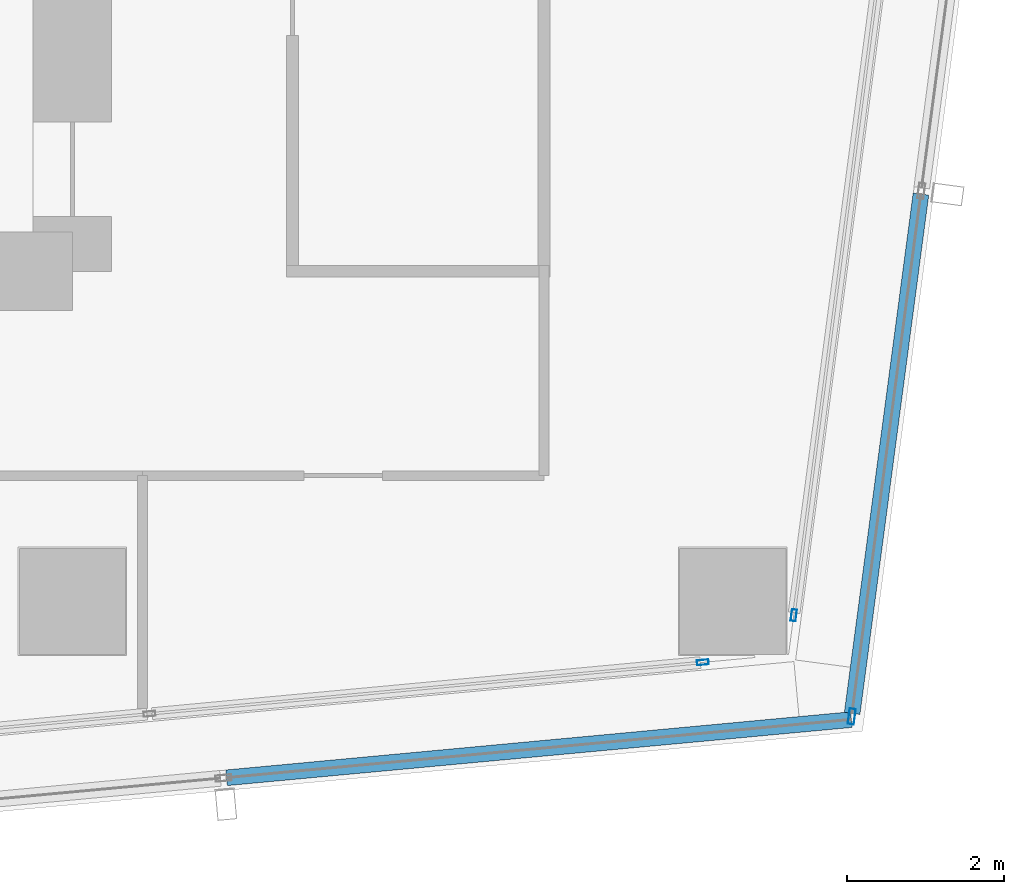
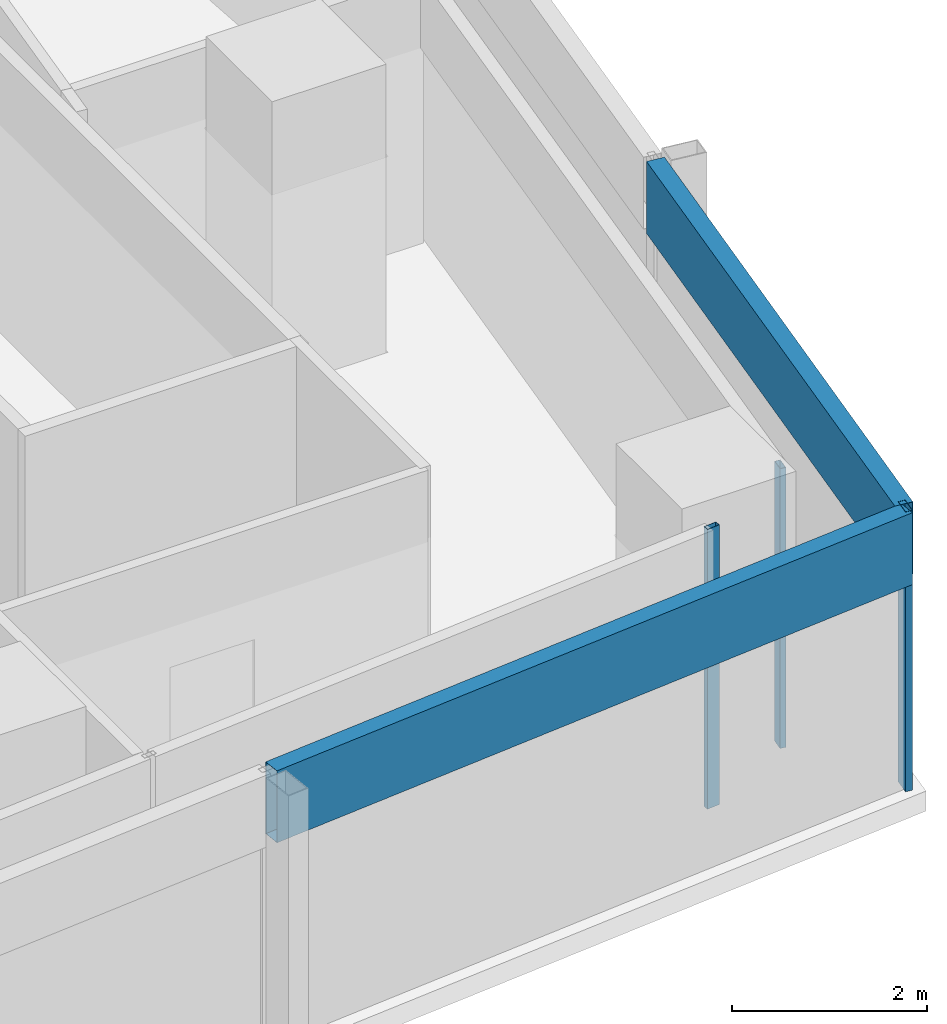
# One storey, part 12 of 38: 5 members, 4 elements without a shape of their own.
"""IFC4 building model written with IfcOpenShell, lengths in metres."""

from ifc_helpers import new_model, si_unit, direction, frame, origin, origin_2d, place, context, subcontext, project, spatial, hollow_rectangle, extrude, material, material_profile, profile_set, type_object, element, aggregate, save


model = new_model("IFC4")

# Units and contexts
model_context = context("Model", 3, precision=1e-05, world=origin(), true_north=direction((0.0, 1.0)))
body_context = subcontext(model_context, "Body", "Model", "MODEL_VIEW")
ifc_project = project(units=[si_unit("LENGTHUNIT", "METRE"), si_unit("AREAUNIT", "SQUARE_METRE"), si_unit("VOLUMEUNIT", "CUBIC_METRE"), si_unit("PLANEANGLEUNIT", "RADIAN"), si_unit("MASSUNIT", "GRAM", prefix="KILO")], contexts=[model_context])

# Site, building, storey
site_placement = place(None, origin())
site = spatial("IfcSite", under=ifc_project, at=site_placement, CompositionType="ELEMENT")
building_placement = place(site_placement, origin())
building = spatial("IfcBuilding", under=site, at=building_placement, Name="Rekha Terrace Tower", CompositionType="ELEMENT")
storey_placement = place(building_placement, frame((0.0, 0.0, 202.699951171875)))
storey = spatial("IfcBuildingStorey", under=building, at=storey_placement, Name="L51", CompositionType="ELEMENT", Elevation=202.699951171875)

# Curtain wall, member
ifc_material_1 = material(Name="Aluminium framing", Category="aluminium")
curtain_wall_type_1 = type_object("IfcCurtainWallType", Name="CW1 double skin inner glazing", PredefinedType="USERDEFINED", material=ifc_material_1)
curtain_wall_1_placement = place(storey_placement, origin())
curtain_wall_1 = element("IfcCurtainWall", 1, at=curtain_wall_1_placement, inside=storey, type_object=curtain_wall_type_1, Name="CW1 double skin inner glazing", ObjectType="DOUBLE SKIN INNER GLAZING", PredefinedType="USERDEFINED")
ifc_material_2 = material(Name="Aluminium mullion section", Category="aluminium")
ifc_material_profile_1 = material_profile(ifc_material_2, hollow_rectangle(XDim=0.06494140625, YDim=0.14990234375, WallThickness=0.00390625, at=origin_2d()), Name="AL RHS 65x150")
ifc_profile_set_1 = profile_set([ifc_material_profile_1], Name="Aluminium mullion section")
member_type_1 = type_object("IfcMemberType", Name="CW1 mullion RHS 65 x 150", PredefinedType="MULLION", material=ifc_profile_set_1)
member_1_placement = place(storey_placement, frame((58.419677734375, 16.025634765625, 0.0), z_axis=(0.0, 0.0, 1.0), x_axis=(-0.092708869564, 0.995693258742, 0.0)))
member_1 = element("IfcMember", 2, at=member_1_placement, type_object=member_type_1, Name="CW1 mullion 3", PredefinedType="MULLION", context=body_context, shape_type="SweptSolid", body=[
    extrude(hollow_rectangle(XDim=0.06494140625, YDim=0.14990234375, WallThickness=0.00390625, at=origin_2d()), origin(), (0.0, 0.0, 1.0), 3.5),
])
aggregate(curtain_wall_1, [member_1])

curtain_wall_2_placement = place(storey_placement, origin())
curtain_wall_2 = element("IfcCurtainWall", 3, at=curtain_wall_2_placement, inside=storey, type_object=curtain_wall_type_1, Name="CW1 double skin inner glazing", ObjectType="DOUBLE SKIN INNER GLAZING", PredefinedType="USERDEFINED")
member_2_placement = place(storey_placement, frame((59.576171875, 16.624755859375, 0.0), z_axis=(0.0, 0.0, 1.0), x_axis=(-0.991342203185, 0.131303603093, 0.0)))
member_2 = element("IfcMember", 4, at=member_2_placement, type_object=member_type_1, Name="CW1 mullion 1", PredefinedType="MULLION", context=body_context, shape_type="SweptSolid", body=[
    extrude(hollow_rectangle(XDim=0.06494140625, YDim=0.14990234375, WallThickness=0.00390625, at=origin_2d()), origin(), (0.0, 0.0, 1.0), 3.5),
])
aggregate(curtain_wall_2, [member_2])

curtain_wall_type_2 = type_object("IfcCurtainWallType", Name="CW2 double skin outer glazing", PredefinedType="USERDEFINED", material=ifc_material_1)
curtain_wall_3_placement = place(storey_placement, origin())
curtain_wall_3 = element("IfcCurtainWall", 5, at=curtain_wall_3_placement, inside=storey, type_object=curtain_wall_type_2, Name="CW2 double skin outer glazing", ObjectType="DOUBLE SKIN OUTER GLAZING", PredefinedType="USERDEFINED")
ifc_material_profile_2 = material_profile(ifc_material_2, hollow_rectangle(XDim=0.080078125, YDim=0.199951171875, WallThickness=0.00390625, at=origin_2d()), Name="AL RHS 80x200")
ifc_profile_set_2 = profile_set([ifc_material_profile_2], Name="Aluminium mullion section")
member_type_2 = type_object("IfcMemberType", Name="CW2 mullion RHS 80 x 200", PredefinedType="MULLION", material=ifc_profile_set_2)
member_3_placement = place(storey_placement, frame((60.3134765625, 15.337158203125, 0.0), z_axis=(0.0, 0.0, 1.0), x_axis=(-0.991342203187, 0.131303603075, 0.0)))
member_3 = element("IfcMember", 6, at=member_3_placement, type_object=member_type_2, Name="CW2 mullion 1", PredefinedType="MULLION", context=body_context, shape_type="SweptSolid", body=[
    extrude(hollow_rectangle(XDim=0.080078125, YDim=0.199951171875, WallThickness=0.00390625, at=origin_2d()), origin(), (0.0, 0.0, 1.0), 3.5),
])

curtain_wall_4_placement = place(storey_placement, origin())
curtain_wall_4 = element("IfcCurtainWall", 7, at=curtain_wall_4_placement, inside=storey, type_object=curtain_wall_type_2, Name="CW2 double skin outer glazing", ObjectType="DOUBLE SKIN OUTER GLAZING", PredefinedType="USERDEFINED")
ifc_material_3 = material(Name="Insulated aluminium spandrel box", Category="aluminium")
ifc_material_profile_3 = material_profile(ifc_material_3, hollow_rectangle(XDim=0.199951171875, YDim=0.89990234375, WallThickness=0.0029296875, at=origin_2d()), Name="AL SPANDREL BOX 200x900")
ifc_profile_set_3 = profile_set([ifc_material_profile_3], Name="Insulated aluminium spandrel box")
member_type_3 = type_object("IfcMemberType", Name="CW2 spandrel transom 200 x 900", PredefinedType="USERDEFINED", material=ifc_profile_set_3)
member_4_placement = place(storey_placement, frame((52.36181640625, 14.5576171875, 3.050048828125), z_axis=(0.99569478362, 0.092692490917, 0.0), x_axis=(-0.092692490917, 0.99569478362, 0.0)))
member_4 = element("IfcMember", 8, at=member_4_placement, type_object=member_type_3, Name="CW2 spandrel transom 2", ObjectType="TRANSOM", PredefinedType="USERDEFINED", context=body_context, shape_type="SweptSolid", body=[
    extrude(hollow_rectangle(XDim=0.199951171875, YDim=0.89990234375, WallThickness=0.0029296875, at=origin_2d()), origin(), (0.0, 0.0, 1.0), 7.980712890625),
])
aggregate(curtain_wall_4, [member_4])

# Member
member_5_placement = place(storey_placement, frame((60.318603515625, 15.376708984375, 3.050048828125), z_axis=(0.131318864981, 0.991340181623, 0.0), x_axis=(-0.991340181623, 0.131318864981, 0.0)))
member_5 = element("IfcMember", 9, at=member_5_placement, type_object=member_type_3, Name="CW2 spandrel transom 1", ObjectType="TRANSOM", PredefinedType="USERDEFINED", context=body_context, shape_type="SweptSolid", body=[
    extrude(hollow_rectangle(XDim=0.199951171875, YDim=0.89990234375, WallThickness=0.0029296875, at=origin_2d()), origin(), (0.0, 0.0, 1.0), 6.6630859375),
])

aggregate(curtain_wall_3, [member_3, member_5])

save(model, "model.ifc")
